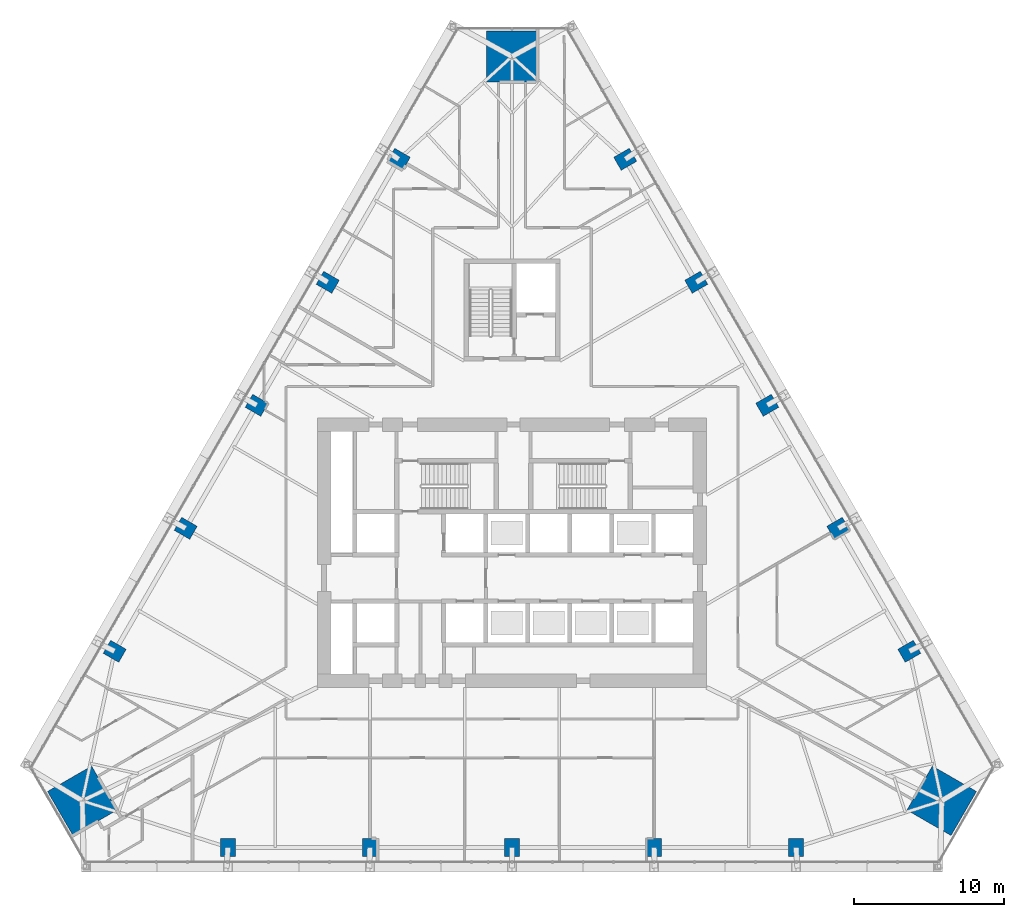
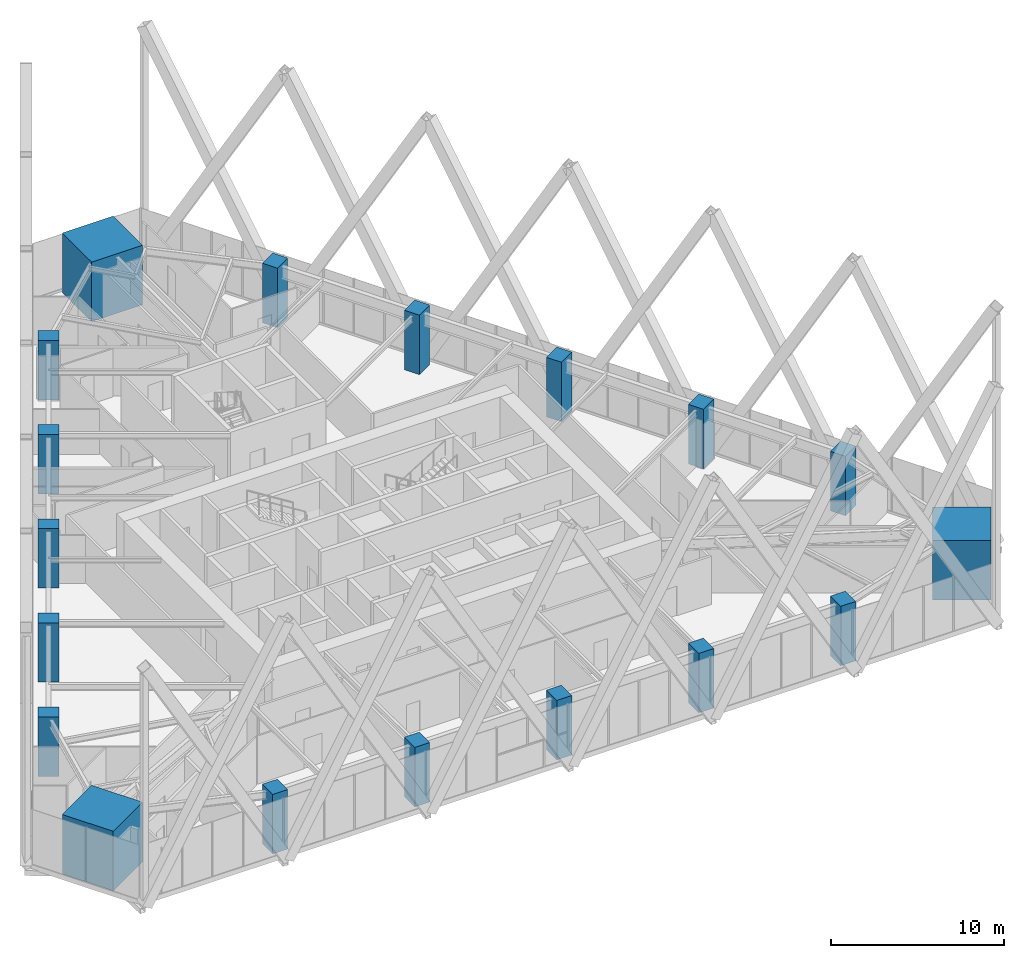
# One storey, part 1 of 21: 18 columns.
"""IFC4 building model written with IfcOpenShell, lengths in metres."""

from ifc_helpers import new_model, si_unit, direction, frame, origin, origin_2d, place, context, subcontext, project, spatial, rectangle, extrude, material, material_profile, profile_set, type_object, element, save


model = new_model("IFC4")

# Units and contexts
model_context = context("Model", 3, precision=1e-05, world=origin(), true_north=direction((0.0, 1.0)))
body_context = subcontext(model_context, "Body", "Model", "MODEL_VIEW")
ifc_project = project(units=[si_unit("LENGTHUNIT", "METRE"), si_unit("AREAUNIT", "SQUARE_METRE"), si_unit("VOLUMEUNIT", "CUBIC_METRE"), si_unit("PLANEANGLEUNIT", "RADIAN"), si_unit("MASSUNIT", "GRAM", prefix="KILO")], contexts=[model_context])

# Site, building, storey
site_placement = place(None, origin())
site = spatial("IfcSite", under=ifc_project, at=site_placement, CompositionType="ELEMENT")
building_placement = place(site_placement, origin())
building = spatial("IfcBuilding", under=site, at=building_placement, Name="Firuza Gate Tower and Library", CompositionType="ELEMENT")
storey_placement = place(building_placement, frame((0.0, 0.0, 73.60009765625)))
storey = spatial("IfcBuildingStorey", under=building, at=storey_placement, Name="L16", CompositionType="ELEMENT", Elevation=73.60009765625)

# Columns
ifc_material_1 = material(Name="Concrete C80/95", Category="concrete")
ifc_material_profile_1 = material_profile(ifc_material_1, rectangle(XDim=3.39990234375, YDim=3.39990234375, at=origin_2d()))
ifc_profile_set_1 = profile_set([ifc_material_profile_1], Name="Concrete C80/95")
column_type_1 = type_object("IfcColumnType", Name="Mega column 3400x3400 C80/95", PredefinedType="COLUMN", material=ifc_profile_set_1)
for number, where, z_axis, x_axis, name in (
    (1, (103.697021484375, 58.431640625, 0.0), (0.0, 0.0, 1.0), (0.5, 0.866025403784, 0.0), "Mega column SE L16"),
    (2, (75.0, 108.136474609375, 0.0), (0.0, 0.0, 1.0), (-1.0, 0.0, 0.0), "Mega column N L16"),
    (3, (46.302978515625, 58.431640625, 0.0), (0.0, 0.0, 1.0), (0.5, -0.866025403784, 0.0), "Mega column SW L16"),
):
    element("IfcColumn", number, at=place(storey_placement, frame(where, z_axis=z_axis, x_axis=x_axis)), inside=storey, type_object=column_type_1, Name=name, PredefinedType="COLUMN", context=body_context, shape_type="SweptSolid", body=[
        extrude(rectangle(XDim=3.39990234375, YDim=3.39990234375, at=origin_2d()), origin(), (0.0, 0.0, 1.0), 4.199951171875),
    ])
ifc_material_2 = material(Name="Concrete C60/75", Category="concrete")
ifc_material_profile_2 = material_profile(ifc_material_2, rectangle(XDim=1.0, YDim=1.199951171875, at=origin_2d()))
ifc_profile_set_2 = profile_set([ifc_material_profile_2], Name="Concrete C60/75")
column_type_2 = type_object("IfcColumnType", Name="Perimeter column 1000x1200 C60/75", PredefinedType="COLUMN", material=ifc_profile_set_2)
for number, where, z_axis, x_axis, name in (
    (4, (56.029296875, 55.31396484375, -0.00048828125), (0.0, 0.0, 1.0), (1.0, 0.0, 0.0), "Column S1 L16"),
    (5, (65.5146484375, 55.31396484375, -0.00048828125), (0.0, 0.0, 1.0), (1.0, 0.0, 0.0), "Column S2 L16"),
    (6, (75.0, 55.31396484375, -0.00048828125), (0.0, 0.0, 1.0), (1.0, 0.0, 0.0), "Column S3 L16"),
    (7, (84.4853515625, 55.31396484375, -0.00048828125), (0.0, 0.0, 1.0), (1.0, 0.0, 0.0), "Column S4 L16"),
    (8, (93.970703125, 55.31396484375, -0.00048828125), (0.0, 0.0, 1.0), (1.0, 0.0, 0.0), "Column S5 L16"),
    (9, (101.533935546875, 68.4140625, -0.00048828125), (0.0, 0.0, 1.0), (-0.5, 0.866025403784, 0.0), "Column E1 L16"),
    (10, (96.791259765625, 76.62841796875, -0.00048828125), (0.0, 0.0, 1.0), (-0.5, 0.866025403784, 0.0), "Column E2 L16"),
    (11, (92.048583984375, 84.843017578125, -0.00048828125), (0.0, 0.0, 1.0), (-0.5, 0.866025403784, 0.0), "Column E3 L16"),
    (12, (87.305908203125, 93.057373046875, -0.00048828125), (0.0, 0.0, 1.0), (-0.5, 0.866025403784, 0.0), "Column E4 L16"),
    (13, (82.563232421875, 101.27197265625, -0.00048828125), (0.0, 0.0, 1.0), (-0.5, 0.866025403784, 0.0), "Column E5 L16"),
    (14, (67.436767578125, 101.27197265625, -0.00048828125), (0.0, 0.0, 1.0), (-0.5, -0.866025403784, 0.0), "Column W1 L16"),
    (15, (62.694091796875, 93.057373046875, -0.00048828125), (0.0, 0.0, 1.0), (-0.5, -0.866025403784, 0.0), "Column W2 L16"),
    (16, (57.951416015625, 84.843017578125, -0.00048828125), (0.0, 0.0, 1.0), (-0.5, -0.866025403784, 0.0), "Column W3 L16"),
    (17, (53.208740234375, 76.62841796875, -0.00048828125), (0.0, 0.0, 1.0), (-0.5, -0.866025403784, 0.0), "Column W4 L16"),
    (18, (48.466064453125, 68.4140625, -0.00048828125), (0.0, 0.0, 1.0), (-0.5, -0.866025403784, 0.0), "Column W5 L16"),
):
    element("IfcColumn", number, at=place(storey_placement, frame(where, z_axis=z_axis, x_axis=x_axis)), inside=storey, type_object=column_type_2, Name=name, PredefinedType="COLUMN", context=body_context, shape_type="SweptSolid", body=[
        extrude(rectangle(XDim=1.0, YDim=1.199951171875, at=origin_2d()), origin(), (0.0, 0.0, 1.0), 4.200439453125),
    ])

save(model, "model.ifc")
